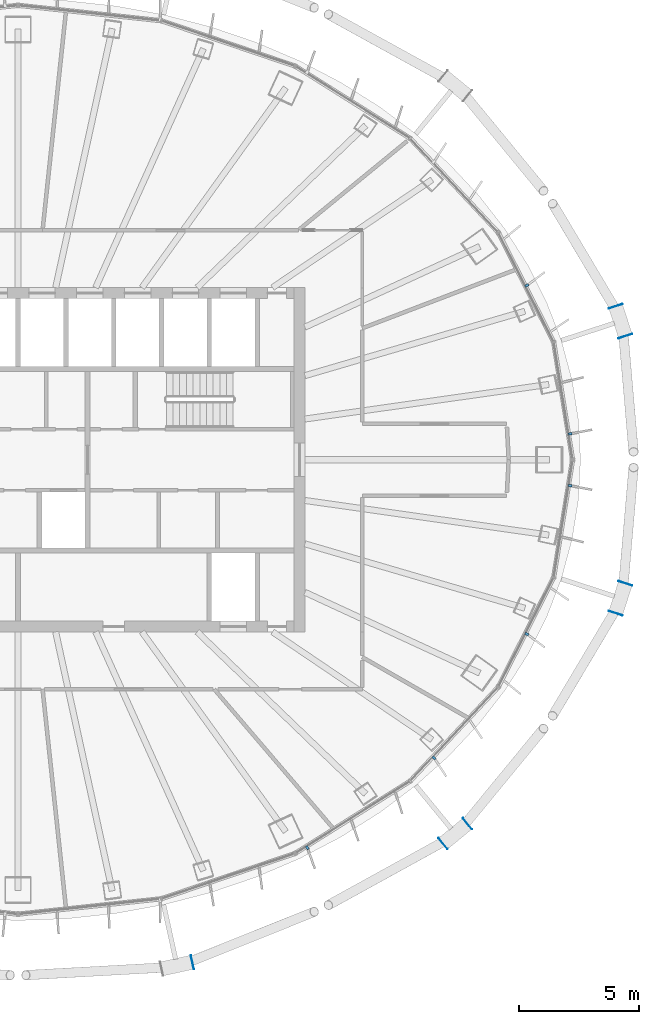
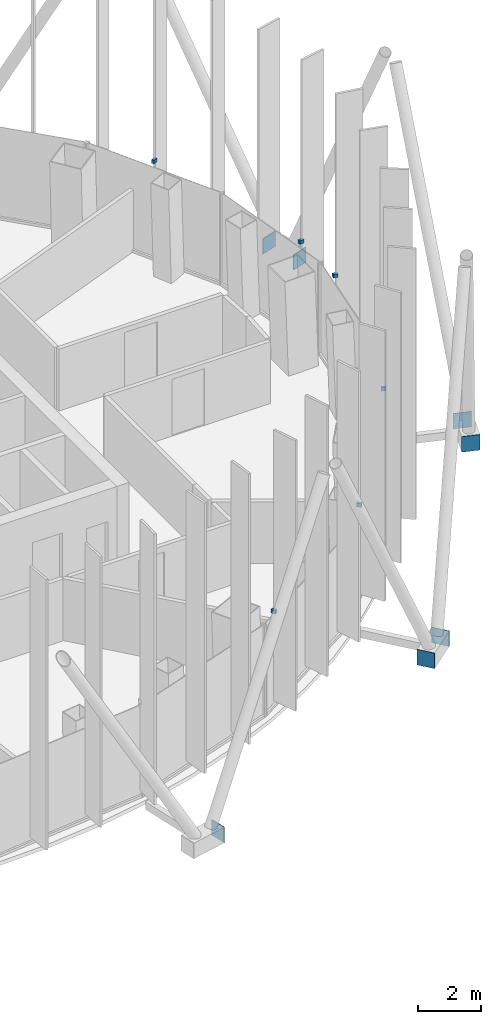
# One storey, part 14 of 19: 13 discrete accessories.
"""IFC4 building model written with IfcOpenShell, lengths in metres."""

import ifcopenshell
import ifcopenshell.guid

model = None  # the IFC model being written
_history = None  # IfcOwnerHistory: only IFC2X3 demands one
_inside = {}  # id of a spatial element -> (the spatial element, [elements in it])
_under = {}  # id of a project, library or spatial element -> (it, [spatial elements below it])
_declared = {}  # id of a project -> (the project, [libraries it declares])
_typed = {}  # id of a type object -> (the type object, [elements of that type])
_made_of = {}  # id of a material, layer set ... -> (it, [elements and type objects made of it])


def new_model(schema):
    """Start an empty IFC model of exactly this schema.

    Asked for "IFC4X3", IfcOpenShell would pick the latest addendum, in which some entities
    have other attributes; the version numbers below select the first issue.
    IFC2X3 requires an IfcOwnerHistory on every rooted entity: one is made here for all.
    """
    global model, _history
    if schema == "IFC4X3":
        model = ifcopenshell.file(schema_version=(4, 3, 0, 0))
    else:
        model = ifcopenshell.file(schema=schema)
    _inside.clear()
    _under.clear()
    _declared.clear()
    _typed.clear()
    _made_of.clear()
    _history = None
    if model.schema == "IFC2X3":
        org = make("IfcOrganization", Name="unknown")
        user = make(
            "IfcPersonAndOrganization",
            ThePerson=make("IfcPerson", FamilyName="unknown"),
            TheOrganization=org,
        )
        app = make(
            "IfcApplication",
            ApplicationDeveloper=org,
            Version="unknown",
            ApplicationFullName="unknown",
            ApplicationIdentifier="unknown",
        )
        _history = make(
            "IfcOwnerHistory",
            OwningUser=user,
            OwningApplication=app,
            ChangeAction="ADDED",
            CreationDate=0,
        )
    return model


def make(cls, **values):
    """One entity of the class cls with the attributes given. An attribute that is None is left unset."""
    return model.create_entity(
        cls, **{name: value for name, value in values.items() if value is not None}
    )


def rooted(cls, **values):
    """An entity with a GlobalId (a new one), such as an element, a storey or a relation."""
    return make(cls, GlobalId=ifcopenshell.guid.new(), OwnerHistory=_history, **values)


def si_unit(unit_type, name, prefix=None):
    """IfcSIUnit, for example si_unit("LENGTHUNIT", "METRE", prefix="MILLI")."""
    return make("IfcSIUnit", UnitType=unit_type, Prefix=prefix, Name=name)


def assignment(units):
    """IfcUnitAssignment: the units of a project."""
    return None if units is None else make("IfcUnitAssignment", Units=units)


def point(xyz):
    """IfcCartesianPoint."""
    return None if xyz is None else make("IfcCartesianPoint", Coordinates=xyz)


def direction(xyz):
    """IfcDirection."""
    return None if xyz is None else make("IfcDirection", DirectionRatios=xyz)


def frame(location, z_axis=None, x_axis=None):
    """IfcAxis2Placement3D, a coordinate frame: its origin and axes. An axis left out is left unset."""
    return make(
        "IfcAxis2Placement3D",
        Location=point(location),
        Axis=direction(z_axis),
        RefDirection=direction(x_axis),
    )


def frame_2d(location, x_axis=None):
    """IfcAxis2Placement2D, a coordinate frame in the plane: its origin and x axis."""
    return make(
        "IfcAxis2Placement2D", Location=point(location), RefDirection=direction(x_axis)
    )


def origin():
    """The frame at (0, 0, 0) with its axes left unset."""
    return frame((0.0, 0.0, 0.0))


def origin_2d():
    """The frame at (0, 0) in the plane with its x axis left unset."""
    return frame_2d((0.0, 0.0))


def place(relative_to, where):
    """IfcLocalPlacement: puts the frame where relative to a parent placement (None: the world)."""
    return make(
        "IfcLocalPlacement", PlacementRelTo=relative_to, RelativePlacement=where
    )


def context(
    kind, dimensions, precision=None, world=None, true_north=None, identifier=None
):
    """IfcGeometricRepresentationContext, for example the 3D "Model" context."""
    return make(
        "IfcGeometricRepresentationContext",
        ContextIdentifier=identifier,
        ContextType=kind,
        CoordinateSpaceDimension=dimensions,
        Precision=precision,
        WorldCoordinateSystem=world,
        TrueNorth=true_north,
    )


def subcontext(parent, identifier, kind, view, scale=None):
    """IfcGeometricRepresentationSubContext, for example "Body" below "Model"."""
    return make(
        "IfcGeometricRepresentationSubContext",
        ContextIdentifier=identifier,
        ContextType=kind,
        ParentContext=parent,
        TargetScale=scale,
        TargetView=view,
    )


def project(units=None, contexts=None):
    """IfcProject with its units and contexts."""
    return rooted(
        "IfcProject",
        Name="project",
        RepresentationContexts=contexts,
        UnitsInContext=assignment(units),
    )


def spatial(cls, under=None, at=None, **own):
    """A site, building, storey or space (cls), placed at a placement, below another one or the project."""
    s = rooted(cls, ObjectPlacement=at, **own)
    if under is not None:
        _under.setdefault(under.id(), (under, []))[1].append(s)
    return s


def profile(cls, at=None, kind="AREA", **sizes):
    """A parametric profile (cls). Its sizes go by their IFC names, for example OverallWidth=200.0."""
    return make(cls, ProfileType=kind, Position=at, **sizes)


def rectangle(**sizes):
    """IfcRectangleProfileDef."""
    return profile("IfcRectangleProfileDef", **sizes)


def extrude(swept, where, along, depth):
    """IfcExtrudedAreaSolid: the profile swept, set in the frame where, extruded along a direction by depth."""
    return make(
        "IfcExtrudedAreaSolid",
        SweptArea=swept,
        Position=where,
        ExtrudedDirection=direction(along),
        Depth=depth,
    )


def shape(context_of_items, identifier, shape_type, items):
    """IfcShapeRepresentation: the items that make up one representation, for example the "Body"."""
    return make(
        "IfcShapeRepresentation",
        ContextOfItems=context_of_items,
        RepresentationIdentifier=identifier,
        RepresentationType=shape_type,
        Items=items,
    )


def material(Name=None, Category=None):
    """IfcMaterial."""
    return make("IfcMaterial", Name=Name, Category=Category)


def layer(
    of_material, thickness, ventilated=None, Name=None, Category=None, Priority=None
):
    """IfcMaterialLayer: one layer of a wall or slab, of a material (None: an air gap)."""
    return make(
        "IfcMaterialLayer",
        Material=of_material,
        LayerThickness=thickness,
        IsVentilated=ventilated,
        Name=Name,
        Category=Category,
        Priority=Priority,
    )


def layer_set(layers, Name=None):
    """IfcMaterialLayerSet."""
    return make("IfcMaterialLayerSet", MaterialLayers=layers, LayerSetName=Name)


def made_of(thing, what):
    """Note that an element or type object is made of a material, layer set ...; save() writes the relation."""
    if what is not None:
        _made_of.setdefault(what.id(), (what, []))[1].append(thing)
    return thing


def type_object(cls, material=None, **own):
    """A type object (cls), such as IfcWallType, which elements share."""
    return made_of(rooted(cls, **own), material)


def element(
    cls,
    number,
    at=None,
    inside=None,
    cuts=None,
    type_object=None,
    material=None,
    context=None,
    identifier="Body",
    shape_type=None,
    held_by="IfcProductDefinitionShape",
    body=None,
    shapes=None,
    **own,
):
    """One element of the class cls, such as IfcWall. Its Tag is "e" and its number.

    at: its placement. inside: the storey or other place that contains it. cuts: it is an
    opening in that element (IfcRelVoidsElement). A single representation is given by context,
    identifier, shape_type and body (its items); several are given by shapes. held_by: the class
    of the entity that holds the representations. save() writes the other relations.
    """
    e = rooted(cls, Tag="e%d" % number, ObjectPlacement=at, **own)
    if body is not None:
        shapes = [shape(context, identifier, shape_type, body)]
    if shapes is not None:
        e.Representation = make(held_by, Representations=shapes)
    if inside is not None:
        _inside.setdefault(inside.id(), (inside, []))[1].append(e)
    if cuts is not None:
        rooted(
            "IfcRelVoidsElement", RelatingBuildingElement=cuts, RelatedOpeningElement=e
        )
    if type_object is not None:
        _typed.setdefault(type_object.id(), (type_object, []))[1].append(e)
    return made_of(e, material)


def aggregate(whole, parts):
    """IfcRelAggregates: a whole, such as a stair, and the parts it consists of."""
    return rooted("IfcRelAggregates", RelatingObject=whole, RelatedObjects=parts)


def save(model, path):
    """Write the relations noted so far, then the file.

    IfcRelAggregates (storeys below a building ...), IfcRelContainedInSpatialStructure (elements
    in a storey), IfcRelDefinesByType, IfcRelAssociatesMaterial and IfcRelDeclares: one each for
    every whole, place, type object, material and project.
    """
    for whole, parts in _under.values():
        aggregate(whole, parts)
    for where, things in _inside.values():
        rooted(
            "IfcRelContainedInSpatialStructure",
            RelatedElements=things,
            RelatingStructure=where,
        )
    for kind, things in _typed.values():
        rooted("IfcRelDefinesByType", RelatedObjects=things, RelatingType=kind)
    for what, things in _made_of.values():
        rooted("IfcRelAssociatesMaterial", RelatedObjects=things, RelatingMaterial=what)
    for by, libraries in _declared.values():
        rooted("IfcRelDeclares", RelatingContext=by, RelatedDefinitions=libraries)
    model.write(path)


model = new_model("IFC4")

# Units and contexts
model_context = context("Model", 3, precision=1e-05, world=origin(), true_north=direction((0.0, 1.0)))
body_context = subcontext(model_context, "Body", "Model", "MODEL_VIEW")
ifc_project = project(units=[si_unit("LENGTHUNIT", "METRE"), si_unit("AREAUNIT", "SQUARE_METRE"), si_unit("VOLUMEUNIT", "CUBIC_METRE"), si_unit("PLANEANGLEUNIT", "RADIAN"), si_unit("MASSUNIT", "GRAM", prefix="KILO")], contexts=[model_context])

# Site, building, storey
site_placement = place(None, origin())
site = spatial("IfcSite", under=ifc_project, at=site_placement, CompositionType="ELEMENT")
building_placement = place(site_placement, origin())
building = spatial("IfcBuilding", under=site, at=building_placement, Name="Siaravel Broadcast Tower", CompositionType="ELEMENT")
storey_placement = place(building_placement, frame((0.0, 0.0, 179.300048828125)))
storey = spatial("IfcBuildingStorey", under=building, at=storey_placement, Name="L43", CompositionType="ELEMENT", Elevation=179.300048828125)

# Discrete accessories
ifc_material_1 = material(Name="Stainless steel 316", Category="steel")
discrete_accessory_type_1 = type_object("IfcDiscreteAccessoryType", Name="Stainless steel fin bracket", PredefinedType="USERDEFINED", material=ifc_material_1)
for number, where, z_axis, x_axis, name in (
    (1, (23.09130859375, 1.083740234375, 3.68017578125), (0.0, 0.0, 1.0), (0.987329198, 0.158685394, 0.0), "Fin bracket L43-01"),
    (2, (21.2841796875, 7.290771484375, 3.68017578125), (0.0, 0.0, 1.0), (0.892392151, 0.451260732, 0.0), "Fin bracket L43-04"),
    (3, (12.097412109375, -16.229248046875, 3.68017578125), (0.0, 0.0, 1.0), (0.532149452, -0.846650436, 0.0), "Fin bracket L43-52"),
    (4, (17.40234375, -12.4736328125, 3.68017578125), (0.0, 0.0, 1.0), (0.729805608, -0.683654718, 0.0), "Fin bracket L43-55"),
    (5, (21.2841796875, -7.290771484375, 3.68017578125), (0.0, 0.0, 1.0), (0.892392151, -0.451260732, 0.0), "Fin bracket L43-58"),
    (6, (23.09130859375, -1.083740234375, 3.68017578125), (0.0, 0.0, 1.0), (0.987329198, -0.158685394, 0.0), "Fin bracket L43-61"),
):
    element("IfcDiscreteAccessory", number, at=place(storey_placement, frame(where, z_axis=z_axis, x_axis=x_axis)), inside=storey, type_object=discrete_accessory_type_1, Name=name, ObjectType="BRACKET", PredefinedType="USERDEFINED", context=body_context, shape_type="SweptSolid", body=[
        extrude(rectangle(XDim=0.159912109375, YDim=0.10009765625, at=origin_2d()), origin(), (0.0, 0.0, 1.0), 0.139892578125),
    ])
ifc_material_2 = material(Name="Steel S355", Category="steel")
ifc_layer = layer(ifc_material_2, 0.02001953125)
ifc_layer_set = layer_set([ifc_layer], Name="Steel S355")
discrete_accessory_type_2 = type_object("IfcDiscreteAccessoryType", Name="Steel end plate 20 mm", PredefinedType="USERDEFINED", material=ifc_layer_set)
for number, where, z_axis, x_axis, name in (
    (7, (24.993896484375, 6.420654296875, -0.5), (0.0, 0.0, 1.0), (-0.310910334, 0.950439248, 0.0), "End plate R18 station 03A"),
    (8, (25.40234375, 5.17236328125, -0.5), (0.0, 0.0, 1.0), (-0.310910334, 0.950439248, 0.0), "End plate R18 station 03B"),
    (9, (7.28857421875, -21.0146484375, -0.5), (0.0, 0.0, 1.0), (0.976750917, 0.214377344, 0.0), "End plate R18 station 57A"),
    (10, (18.792724609375, -15.22314453125, -0.5), (0.0, 0.0, 1.0), (0.773604694, 0.633668508, 0.0), "End plate R18 station 63A"),
    (11, (17.77685546875, -16.055419921875, -0.5), (0.0, 0.0, 1.0), (0.773604694, 0.633668508, 0.0), "End plate R18 station 63B"),
    (12, (25.40234375, -5.17236328125, -0.5), (0.0, 0.0, 1.0), (0.310910334, 0.950439248, 0.0), "End plate R18 station 69A"),
    (13, (24.993896484375, -6.420654296875, -0.5), (0.0, 0.0, 1.0), (0.310910334, 0.950439248, 0.0), "End plate R18 station 69B"),
):
    element("IfcDiscreteAccessory", number, at=place(storey_placement, frame(where, z_axis=z_axis, x_axis=x_axis)), inside=storey, type_object=discrete_accessory_type_2, Name=name, ObjectType="END PLATE", PredefinedType="USERDEFINED", context=body_context, shape_type="SweptSolid", body=[
        extrude(rectangle(XDim=0.02001953125, YDim=0.60009765625, at=origin_2d()), origin(), (0.0, 0.0, 1.0), 0.60009765625),
    ])

save(model, "model.ifc")
